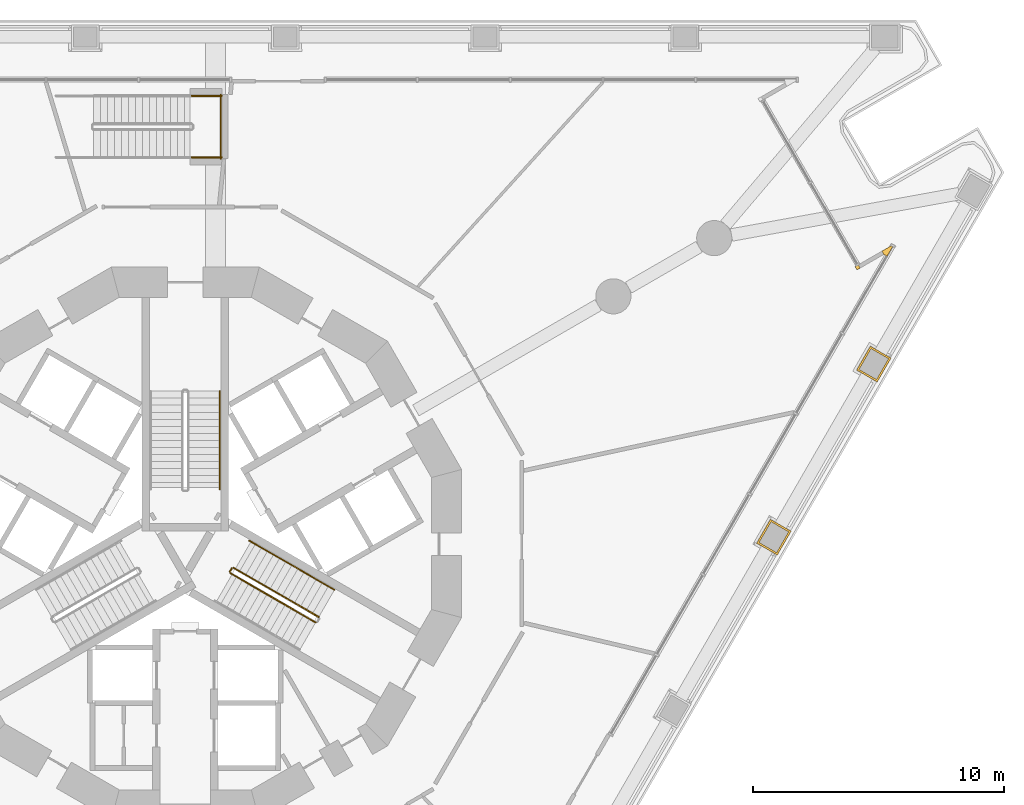
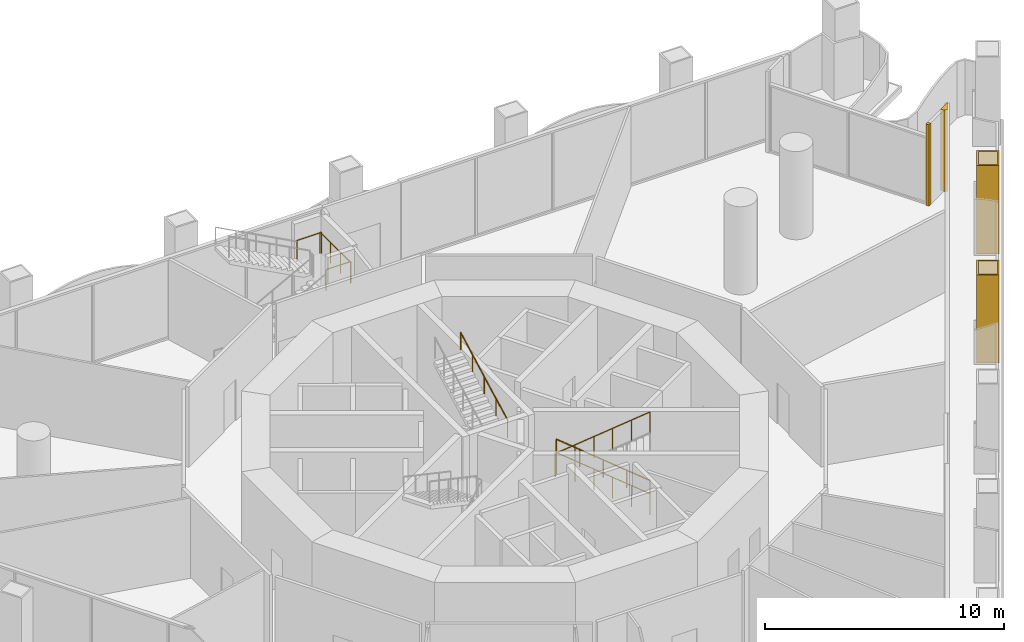
# One storey, part 20 of 21: 9 railings, 4 coverings.
"""IFC4 building model written with IfcOpenShell, lengths in metres."""

from ifc_helpers import new_model, si_unit, direction, frame, origin, origin_2d, place, context, subcontext, project, spatial, polyline, circle, outline, extrude, material, layer, layer_set, type_object, element, save


model = new_model("IFC4")

# Units and contexts
model_context = context("Model", 3, precision=1e-05, world=origin(), true_north=direction((0.0, 1.0)))
body_context = subcontext(model_context, "Body", "Model", "MODEL_VIEW")
ifc_project = project(units=[si_unit("LENGTHUNIT", "METRE"), si_unit("AREAUNIT", "SQUARE_METRE"), si_unit("VOLUMEUNIT", "CUBIC_METRE"), si_unit("PLANEANGLEUNIT", "RADIAN"), si_unit("MASSUNIT", "GRAM", prefix="KILO")], contexts=[model_context])

# Site, building, storey
site_placement = place(None, origin())
site = spatial("IfcSite", under=ifc_project, at=site_placement, CompositionType="ELEMENT")
building_placement = place(site_placement, origin())
building = spatial("IfcBuilding", under=site, at=building_placement, Name="Trine Commons Tower", CompositionType="ELEMENT")
storey_placement = place(building_placement, frame((0.0, 0.0, 9.0)))
storey = spatial("IfcBuildingStorey", under=building, at=storey_placement, Name="L01", CompositionType="ELEMENT", Elevation=9.0)

# Railings
ifc_material_1 = material(Name="Structural steel ASTM A500 Gr C", Category="steel")
railing_type_1 = type_object("IfcRailingType", Name="Glass and steel guard 1100 mm, ASTM A500 Gr C", PredefinedType="GUARDRAIL", material=ifc_material_1)
for number, where, name in (
    (1, (80.260009765625, 77.885009765625, 2.25), "L01 PS1 stair guard 3"),
    (2, (80.260009765625, 80.3349609375, 2.25), "L01 PS1 stair guard 4"),
):
    element("IfcRailing", number, at=place(storey_placement, frame(where)), inside=storey, type_object=railing_type_1, Name=name, PredefinedType="GUARDRAIL", context=body_context, shape_type="SweptSolid", body=[
        extrude(circle(Radius=0.02392578125, at=origin_2d()), frame((0.0, 0.0, 1.076171875), z_axis=(1.0, 0.0, 0.0), x_axis=(0.0, 1.0, 0.0)), (0.0, 0.0, 1.0), 1.199951171875),
        extrude(circle(Radius=0.02099609375, at=origin_2d()), origin(), (0.0, 0.0, 1.0), 1.052001953125),
        extrude(circle(Radius=0.02099609375, at=origin_2d()), frame((1.199951171875, 0.0, 0.0)), (0.0, 0.0, 1.0), 1.052001953125),
    ])
railing_1_placement = place(storey_placement, frame((81.409912109375, 77.8349609375, 2.25)))
element("IfcRailing", 3, at=railing_1_placement, inside=storey, type_object=railing_type_1, Name="L01 PS1 stair guard 5", PredefinedType="GUARDRAIL", context=body_context, shape_type="SweptSolid", body=[
    extrude(circle(Radius=0.02392578125, at=origin_2d()), frame((0.0, 0.0, 1.076171875), z_axis=(0.0, 1.0, 0.0), x_axis=(-1.0, 0.0, 0.0)), (0.0, 0.0, 1.0), 2.550048828125),
    extrude(circle(Radius=0.02099609375, at=origin_2d()), origin(), (0.0, 0.0, 1.0), 1.052001953125),
    extrude(circle(Radius=0.02099609375, at=origin_2d()), frame((0.0, 0.85009765625, 0.0)), (0.0, 0.0, 1.0), 1.052001953125),
    extrude(circle(Radius=0.02099609375, at=origin_2d()), frame((0.0, 1.699951171875, 0.0)), (0.0, 0.0, 1.0), 1.052001953125),
    extrude(circle(Radius=0.02099609375, at=origin_2d()), frame((0.0, 2.550048828125, 0.0)), (0.0, 0.0, 1.0), 1.052001953125),
])

# Coverings
ifc_material_2 = material(Name="Aluminium-framed insulated wall panel", Category="aluminium")
ifc_layer_1 = layer(ifc_material_2, 0.14990234375)
ifc_layer_set_1 = layer_set([ifc_layer_1], Name="Aluminium-framed insulated wall panel")
covering_type_1 = type_object("IfcCoveringType", Name="Glazing corner post, aluminium", PredefinedType="CLADDING", material=ifc_layer_set_1)
covering_1_placement = place(storey_placement, origin())
element("IfcCovering", 4, at=covering_1_placement, inside=storey, type_object=covering_type_1, Name="Glazing corner post 1-07", PredefinedType="CLADDING", context=body_context, shape_type="SweptSolid", body=[
    extrude(outline(polyline([(106.688720703125, 73.532470703125), (106.763671875, 73.402587890625), (106.8935546875, 73.4775390625), (106.818603515625, 73.607421875), (106.688720703125, 73.532470703125)])), origin(), (0.0, 0.0, 1.0), 4.14990234375),
])
covering_2_placement = place(storey_placement, origin())
element("IfcCovering", 5, at=covering_2_placement, inside=storey, type_object=covering_type_1, Name="Glazing corner post 1-08", PredefinedType="CLADDING", context=body_context, shape_type="SweptSolid", body=[
    extrude(outline(polyline([(107.963623046875, 73.9453125), (108.24365234375, 74.43017578125), (107.7587890625, 74.150146484375), (107.833740234375, 74.020263671875), (107.963623046875, 73.9453125)])), origin(), (0.0, 0.0, 1.0), 4.14990234375),
])
ifc_material_3 = material(Name="Limestone, honed", Category="masonry")
ifc_layer_2 = layer(ifc_material_3, 0.074951171875)
ifc_layer_set_2 = layer_set([ifc_layer_2], Name="Limestone, honed")
covering_type_2 = type_object("IfcCoveringType", Name="Limestone column cladding 75", PredefinedType="CLADDING", material=ifc_layer_set_2)
covering_3_placement = place(storey_placement, origin())
element("IfcCovering", 6, at=covering_3_placement, inside=storey, type_object=covering_type_2, Name="Limestone pier cladding 1-18", PredefinedType="CLADDING", context=body_context, shape_type="SweptSolid", body=[
    extrude(outline(polyline([(108.12109375, 69.8876953125), (107.298095703125, 70.36279296875), (106.748291015625, 69.41015625), (107.571044921875, 68.93505859375), (108.12109375, 69.8876953125)]), holes=[polyline([(108.0185546875, 69.8603515625), (107.32568359375, 70.26025390625), (106.8505859375, 69.4375), (107.54345703125, 69.03759765625), (108.0185546875, 69.8603515625)])]), origin(), (0.0, 0.0, 1.0), 4.5),
])
covering_4_placement = place(storey_placement, origin())
element("IfcCovering", 7, at=covering_4_placement, inside=storey, type_object=covering_type_2, Name="Limestone pier cladding 1-19", PredefinedType="CLADDING", context=body_context, shape_type="SweptSolid", body=[
    extrude(outline(polyline([(104.139404296875, 62.9912109375), (103.31640625, 63.46630859375), (102.7666015625, 62.513671875), (103.58935546875, 62.03857421875), (104.139404296875, 62.9912109375)]), holes=[polyline([(104.036865234375, 62.9638671875), (103.343994140625, 63.36376953125), (102.868896484375, 62.541015625), (103.561767578125, 62.14111328125), (104.036865234375, 62.9638671875)])]), origin(), (0.0, 0.0, 1.0), 4.5),
])

# Railings
ifc_material_4 = material(Name="Stainless steel balustrade", Category="steel")
railing_type_2 = type_object("IfcRailingType", Name="Stair guard, steel balustrade 1100", PredefinedType="GUARDRAIL", material=ifc_material_4)
railing_2_placement = place(storey_placement, frame((85.31982421875, 59.572998046875, 0.14990234375)))
element("IfcRailing", 8, at=railing_2_placement, inside=storey, type_object=railing_type_2, Name="L01 ST3A stair guard 1", PredefinedType="GUARDRAIL", context=body_context, shape_type="SweptSolid", body=[
    extrude(circle(Radius=0.02392578125, at=origin_2d()), frame((0.0, 0.0, 1.076171875), z_axis=(-0.763374939589, 0.440731680332, 0.472243885677), x_axis=(-0.499997407846, -0.86602690036, 0.0)), (0.0, 0.0, 1.0), 4.447021484375),
    extrude(circle(Radius=0.02099609375, at=origin_2d()), origin(), (0.0, 0.0, 1.0), 1.052001953125),
    extrude(circle(Radius=0.02099609375, at=origin_2d()), frame((-0.678955078125, 0.39208984375, 0.419921875)), (0.0, 0.0, 1.0), 1.052001953125),
    extrude(circle(Radius=0.02099609375, at=origin_2d()), frame((-1.35791015625, 0.783935546875, 0.840087890625)), (0.0, 0.0, 1.0), 1.052001953125),
    extrude(circle(Radius=0.02099609375, at=origin_2d()), frame((-2.036865234375, 1.176025390625, 1.260009765625)), (0.0, 0.0, 1.0), 1.052001953125),
    extrude(circle(Radius=0.02099609375, at=origin_2d()), frame((-2.7158203125, 1.56787109375, 1.68017578125)), (0.0, 0.0, 1.0), 1.052001953125),
    extrude(circle(Radius=0.02099609375, at=origin_2d()), frame((-3.394775390625, 1.9599609375, 2.10009765625)), (0.0, 0.0, 1.0), 1.052001953125),
])
railing_3_placement = place(storey_placement, frame((81.856689453125, 61.5146484375, 2.25)))
element("IfcRailing", 9, at=railing_3_placement, inside=storey, type_object=railing_type_2, Name="L01 ST3A stair guard 2", PredefinedType="GUARDRAIL", context=body_context, shape_type="SweptSolid", body=[
    extrude(circle(Radius=0.02392578125, at=origin_2d()), frame((0.0, 0.0, 1.076171875), z_axis=(-0.499816412211, -0.866131372301, 0.0), x_axis=(0.866131372301, -0.499816412211, 0.0)), (0.0, 0.0, 1.0), 0.14990234375),
    extrude(circle(Radius=0.02099609375, at=origin_2d()), origin(), (0.0, 0.0, 1.0), 1.052001953125),
    extrude(circle(Radius=0.02099609375, at=origin_2d()), frame((-0.074951171875, -0.1298828125, 0.0)), (0.0, 0.0, 1.0), 1.052001953125),
])
railing_4_placement = place(storey_placement, frame((81.800048828125, 61.31640625, 2.39990234375)))
element("IfcRailing", 10, at=railing_4_placement, inside=storey, type_object=railing_type_2, Name="L01 ST3A stair guard 3", PredefinedType="GUARDRAIL", context=body_context, shape_type="SweptSolid", body=[
    extrude(circle(Radius=0.02392578125, at=origin_2d()), frame((0.0, 0.0, 1.076171875), z_axis=(0.763374939589, -0.440731680332, 0.472243885677), x_axis=(0.499997407846, 0.86602690036, 0.0)), (0.0, 0.0, 1.0), 4.447021484375),
    extrude(circle(Radius=0.02099609375, at=origin_2d()), origin(), (0.0, 0.0, 1.0), 1.052001953125),
    extrude(circle(Radius=0.02099609375, at=origin_2d()), frame((0.678955078125, -0.39208984375, 0.419921875)), (0.0, 0.0, 1.0), 1.052001953125),
    extrude(circle(Radius=0.02099609375, at=origin_2d()), frame((1.35791015625, -0.783935546875, 0.840087890625)), (0.0, 0.0, 1.0), 1.052001953125),
    extrude(circle(Radius=0.02099609375, at=origin_2d()), frame((2.036865234375, -1.176025390625, 1.260009765625)), (0.0, 0.0, 1.0), 1.052001953125),
    extrude(circle(Radius=0.02099609375, at=origin_2d()), frame((2.7158203125, -1.56787109375, 1.68017578125)), (0.0, 0.0, 1.0), 1.052001953125),
    extrude(circle(Radius=0.02099609375, at=origin_2d()), frame((3.394775390625, -1.9599609375, 2.10009765625)), (0.0, 0.0, 1.0), 1.052001953125),
])
ifc_material_5 = material(Name="Stainless steel handrail", Category="steel")
railing_type_3 = type_object("IfcRailingType", Name="Stair handrail, steel 900", PredefinedType="HANDRAIL", material=ifc_material_5)
railing_5_placement = place(storey_placement, frame((81.375, 64.650634765625, 2.39990234375)))
element("IfcRailing", 11, at=railing_5_placement, inside=storey, type_object=railing_type_3, Name="L01 ST1A stair handrail 2", PredefinedType="HANDRAIL", context=body_context, shape_type="SweptSolid", body=[
    extrude(circle(Radius=0.02099609375, at=origin_2d()), frame((0.0, 0.0, 0.87890625), z_axis=(0.0, 0.881466911329, 0.472245787945), x_axis=(-1.0, 0.0, 0.0)), (0.0, 0.0, 1.0), 4.447021484375),
    extrude(circle(Radius=0.01513671875, at=origin_2d()), origin(), (0.0, 0.0, 1.0), 0.85791015625),
    extrude(circle(Radius=0.01513671875, at=origin_2d()), frame((0.0, 0.97998046875, 0.52490234375)), (0.0, 0.0, 1.0), 0.85791015625),
    extrude(circle(Radius=0.01513671875, at=origin_2d()), frame((0.0, 1.9599609375, 1.050048828125)), (0.0, 0.0, 1.0), 0.85791015625),
    extrude(circle(Radius=0.01513671875, at=origin_2d()), frame((0.0, 2.93994140625, 1.5751953125)), (0.0, 0.0, 1.0), 0.85791015625),
    extrude(circle(Radius=0.01513671875, at=origin_2d()), frame((0.0, 3.919921875, 2.10009765625)), (0.0, 0.0, 1.0), 0.85791015625),
])
railing_6_placement = place(storey_placement, frame((85.94482421875, 60.655517578125, 0.14990234375)))
element("IfcRailing", 12, at=railing_6_placement, inside=storey, type_object=railing_type_3, Name="L01 ST3A stair handrail 1", PredefinedType="HANDRAIL", context=body_context, shape_type="SweptSolid", body=[
    extrude(circle(Radius=0.02099609375, at=origin_2d()), frame((0.0, 0.0, 0.87890625), z_axis=(-0.763397845365, 0.440713210311, 0.472224095054), x_axis=(-0.499970440388, -0.866042469362, 0.0)), (0.0, 0.0, 1.0), 2.2236328125),
    extrude(circle(Radius=0.01513671875, at=origin_2d()), origin(), (0.0, 0.0, 1.0), 0.85791015625),
    extrude(circle(Radius=0.01513671875, at=origin_2d()), frame((-0.8486328125, 0.489990234375, 0.52490234375)), (0.0, 0.0, 1.0), 0.85791015625),
    extrude(circle(Radius=0.01513671875, at=origin_2d()), frame((-1.697509765625, 0.97998046875, 1.050048828125)), (0.0, 0.0, 1.0), 0.85791015625),
])
railing_7_placement = place(storey_placement, frame((84.247314453125, 61.635498046875, 1.199951171875)))
element("IfcRailing", 13, at=railing_7_placement, inside=storey, type_object=railing_type_3, Name="L01 ST3A stair handrail 2", PredefinedType="HANDRAIL", context=body_context, shape_type="SweptSolid", body=[
    extrude(circle(Radius=0.02099609375, at=origin_2d()), frame((0.0, 0.0, 0.87890625), z_axis=(-0.763352030933, 0.440750151347, 0.472263677365), x_axis=(-0.500024377727, -0.866011328839, 0.0)), (0.0, 0.0, 1.0), 2.223388671875),
    extrude(circle(Radius=0.01513671875, at=origin_2d()), origin(), (0.0, 0.0, 1.0), 0.85791015625),
    extrude(circle(Radius=0.01513671875, at=origin_2d()), frame((-0.8486328125, 0.489990234375, 0.52490234375)), (0.0, 0.0, 1.0), 0.85791015625),
    extrude(circle(Radius=0.01513671875, at=origin_2d()), frame((-1.697265625, 0.97998046875, 1.050048828125)), (0.0, 0.0, 1.0), 0.85791015625),
])

save(model, "model.ifc")
